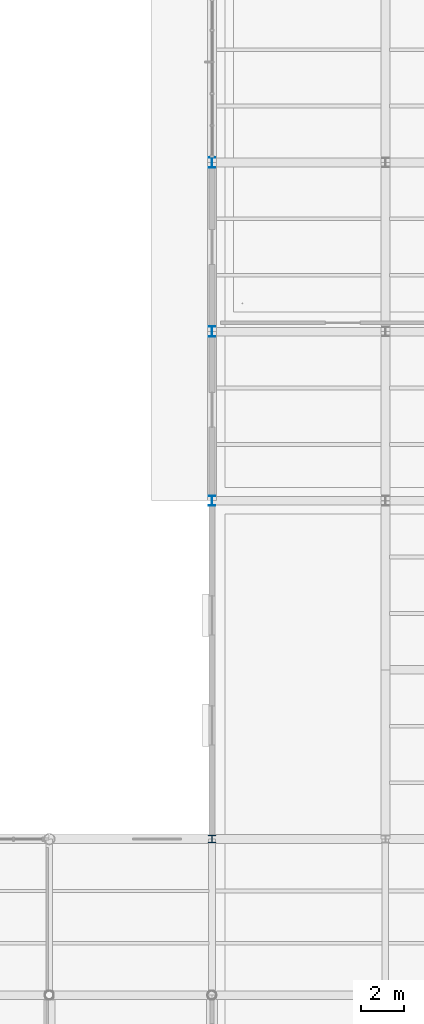
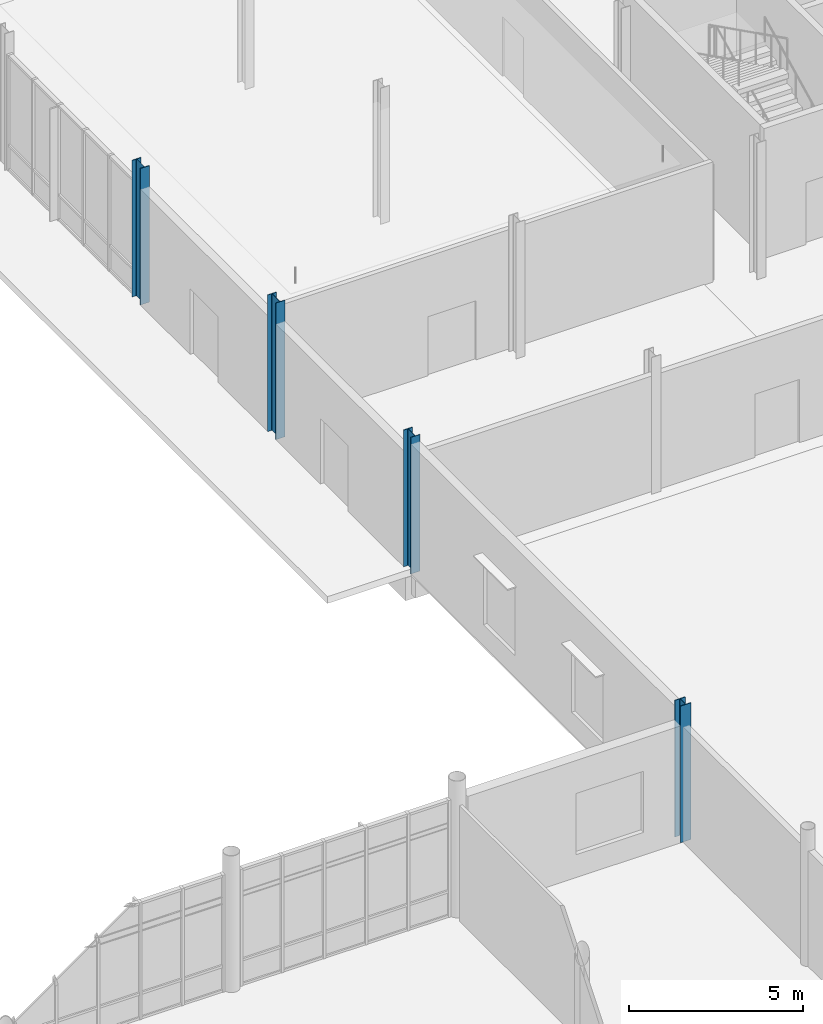
# One storey, part 4 of 82: 4 columns.
"""IFC4 building model written with IfcOpenShell, lengths in metres."""

from ifc_helpers import new_model, si_unit, direction, frame, origin, origin_2d, place, context, subcontext, project, spatial, i_section, extrude, material, material_profile, profile_set, type_object, element, save


model = new_model("IFC4")

# Units and contexts
model_context = context("Model", 3, precision=1e-05, world=origin(), true_north=direction((0.0, 1.0)))
body_context = subcontext(model_context, "Body", "Model", "MODEL_VIEW")
ifc_project = project(units=[si_unit("LENGTHUNIT", "METRE"), si_unit("AREAUNIT", "SQUARE_METRE"), si_unit("VOLUMEUNIT", "CUBIC_METRE"), si_unit("PLANEANGLEUNIT", "RADIAN"), si_unit("MASSUNIT", "GRAM", prefix="KILO")], contexts=[model_context])

# Site, building, storey
site_placement = place(None, origin())
site = spatial("IfcSite", under=ifc_project, at=site_placement, CompositionType="ELEMENT")
building_placement = place(site_placement, origin())
building = spatial("IfcBuilding", under=site, at=building_placement, Name="Yukiwa Park Conservatory and Herbarium", CompositionType="ELEMENT")
storey_placement = place(building_placement, origin())
storey = spatial("IfcBuildingStorey", under=building, at=storey_placement, Name="L00", CompositionType="ELEMENT", Elevation=0.0)

# Columns
ifc_material_1 = material(Name="Steel Q355D", Category="steel")
ifc_material_profile_1 = material_profile(ifc_material_1, i_section(OverallWidth=0.35009765625, OverallDepth=0.35009765625, WebThickness=0.011962890625, FlangeThickness=0.01904296875, FilletRadius=0.02001953125, at=origin_2d()), Name="HW 350x350x12x19")
ifc_profile_set_1 = profile_set([ifc_material_profile_1], Name="Steel Q355D")
column_type_1 = type_object("IfcColumnType", Name="COL-TW-HW350", PredefinedType="COLUMN", material=ifc_profile_set_1)
column_1_placement = place(storey_placement, frame((60.0, 31.199951171875, 0.0), z_axis=(0.0, 0.0, 1.0), x_axis=(1.0, 0.0, 0.0)))
element("IfcColumn", 1, at=column_1_placement, inside=storey, type_object=column_type_1, Name="L00 column V2-X600-Y312", PredefinedType="COLUMN", context=body_context, shape_type="SweptSolid", body=[
    extrude(i_section(OverallWidth=0.35009765625, OverallDepth=0.35009765625, WebThickness=0.011962890625, FlangeThickness=0.01904296875, FilletRadius=0.02001953125, at=origin_2d()), origin(), (0.0, 0.0, 1.0), 4.800048828125),
])
ifc_material_2 = material(Name="Steel Q355D", Category="steel")
ifc_material_profile_2 = material_profile(ifc_material_2, i_section(OverallWidth=0.300048828125, OverallDepth=0.43994140625, WebThickness=0.010986328125, FlangeThickness=0.01806640625, FilletRadius=0.02392578125, at=origin_2d()), Name="HM 440x300x11x18")
ifc_profile_set_2 = profile_set([ifc_material_profile_2], Name="Steel Q355D")
column_type_2 = type_object("IfcColumnType", Name="COL-VS-HM440", PredefinedType="COLUMN", material=ifc_profile_set_2)
column_2_placement = place(storey_placement, frame((60.0, 46.800048828125, 0.0), z_axis=(0.0, 0.0, 1.0), x_axis=(1.0, 0.0, 0.0)))
element("IfcColumn", 2, at=column_2_placement, inside=storey, type_object=column_type_2, Name="L00 column V3-X600-Y468", PredefinedType="COLUMN", context=body_context, shape_type="SweptSolid", body=[
    extrude(i_section(OverallWidth=0.300048828125, OverallDepth=0.43994140625, WebThickness=0.010986328125, FlangeThickness=0.01806640625, FilletRadius=0.02392578125, at=origin_2d()), origin(), (0.0, 0.0, 1.0), 4.800048828125),
])
ifc_material_3 = material(Name="Steel Q355D", Category="steel")
ifc_material_profile_3 = material_profile(ifc_material_3, i_section(OverallWidth=0.300048828125, OverallDepth=0.488037109375, WebThickness=0.010986328125, FlangeThickness=0.01806640625, FilletRadius=0.02392578125, at=origin_2d()), Name="HM 488x300x11x18")
ifc_profile_set_3 = profile_set([ifc_material_profile_3], Name="Steel Q355D")
column_type_3 = type_object("IfcColumnType", Name="COL-VS-HM488-EXT", PredefinedType="COLUMN", material=ifc_profile_set_3)
for number, where, z_axis, x_axis, name in (
    (3, (60.0, 54.60009765625, 0.0), (0.0, 0.0, 1.0), (1.0, 0.0, 0.0), "L00 column V3-X600-Y546"),
    (4, (60.0, 62.39990234375, 0.0), (0.0, 0.0, 1.0), (1.0, 0.0, 0.0), "L00 column V3-X600-Y624"),
):
    element("IfcColumn", number, at=place(storey_placement, frame(where, z_axis=z_axis, x_axis=x_axis)), inside=storey, type_object=column_type_3, Name=name, PredefinedType="COLUMN", context=body_context, shape_type="SweptSolid", body=[
        extrude(i_section(OverallWidth=0.300048828125, OverallDepth=0.488037109375, WebThickness=0.010986328125, FlangeThickness=0.01806640625, FilletRadius=0.02392578125, at=origin_2d()), origin(), (0.0, 0.0, 1.0), 4.800048828125),
    ])

save(model, "model.ifc")
